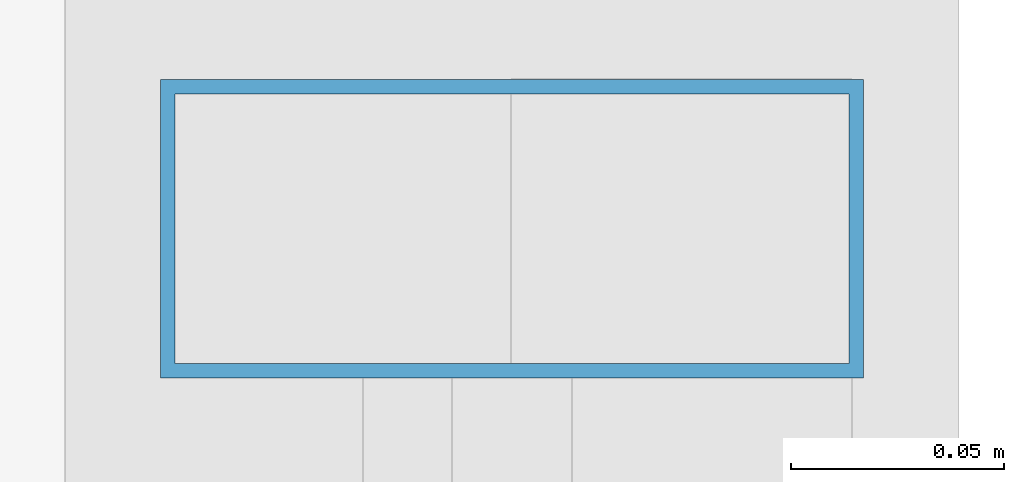
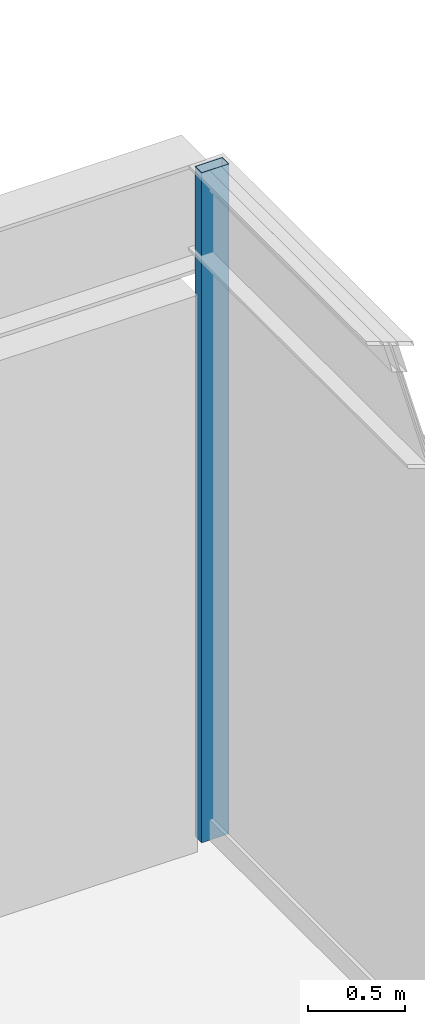
# One storey, part 14 of 22: 1 member, 1 element without a shape of its own.
"""IFC4 building model written with IfcOpenShell, lengths in metres."""

from ifc_helpers import new_model, si_unit, direction, frame, origin, origin_2d, place, context, subcontext, project, spatial, hollow_rectangle, extrude, material, layer, layer_set, material_profile, profile_set, type_object, element, aggregate, save


model = new_model("IFC4")

# Units and contexts
model_context = context("Model", 3, precision=1e-05, world=origin(), true_north=direction((0.0, 1.0)))
body_context = subcontext(model_context, "Body", "Model", "MODEL_VIEW")
ifc_project = project(units=[si_unit("LENGTHUNIT", "METRE"), si_unit("AREAUNIT", "SQUARE_METRE"), si_unit("VOLUMEUNIT", "CUBIC_METRE"), si_unit("PLANEANGLEUNIT", "RADIAN"), si_unit("MASSUNIT", "GRAM", prefix="KILO")], contexts=[model_context])

# Site, building, storey
site_placement = place(None, origin())
site = spatial("IfcSite", under=ifc_project, at=site_placement, CompositionType="ELEMENT")
building_placement = place(site_placement, origin())
building = spatial("IfcBuilding", under=site, at=building_placement, Name="Surkhivell Harbour Commons", CompositionType="ELEMENT")
storey_placement = place(building_placement, frame((0.0, 0.0, 342.0)))
storey = spatial("IfcBuildingStorey", under=building, at=storey_placement, Name="L89", CompositionType="ELEMENT", Elevation=342.0)

# Curtain wall, member
ifc_material_1 = material(Name="Anodised pale-metal aluminium and insulated glazing", Category="aluminium")
ifc_layer = layer(ifc_material_1, 0.1650390625)
ifc_layer_set = layer_set([ifc_layer], Name="Anodised pale-metal aluminium and insulated glazing")
curtain_wall_type = type_object("IfcCurtainWallType", Name="CW-SYS-BOX", PredefinedType="NOTDEFINED", material=ifc_layer_set)
curtain_wall_placement = place(storey_placement, origin())
curtain_wall = element("IfcCurtainWall", 1, at=curtain_wall_placement, inside=storey, type_object=curtain_wall_type, Name="L89 Curtain Wall CW-L89-BOX02", PredefinedType="NOTDEFINED")
ifc_material_2 = material(Name="Champagne anodised aluminium alloy 6063-T6", Category="aluminium")
ifc_material_profile = material_profile(ifc_material_2, hollow_rectangle(XDim=0.070068359375, YDim=0.1650390625, WallThickness=0.00341796875, at=origin_2d()), Name="ALU-MULL-70x165")
ifc_profile_set = profile_set([ifc_material_profile], Name="Champagne anodised aluminium alloy 6063-T6")
member_type = type_object("IfcMemberType", Name="CWM-165", PredefinedType="MULLION", material=ifc_profile_set)
member_placement = place(storey_placement, frame((15.10009765625, 16.014892578125, 0.0), z_axis=(0.0, 0.0, 1.0), x_axis=(0.0, 1.0, 0.0)))
member = element("IfcMember", 2, at=member_placement, type_object=member_type, Name="CW-BOX mullion 2", PredefinedType="MULLION", context=body_context, shape_type="SweptSolid", body=[
    extrude(hollow_rectangle(XDim=0.070068359375, YDim=0.1650390625, WallThickness=0.00341796875, at=origin_2d()), origin(), (0.0, 0.0, 1.0), 4.219970703125),
])
aggregate(curtain_wall, [member])

save(model, "model.ifc")
